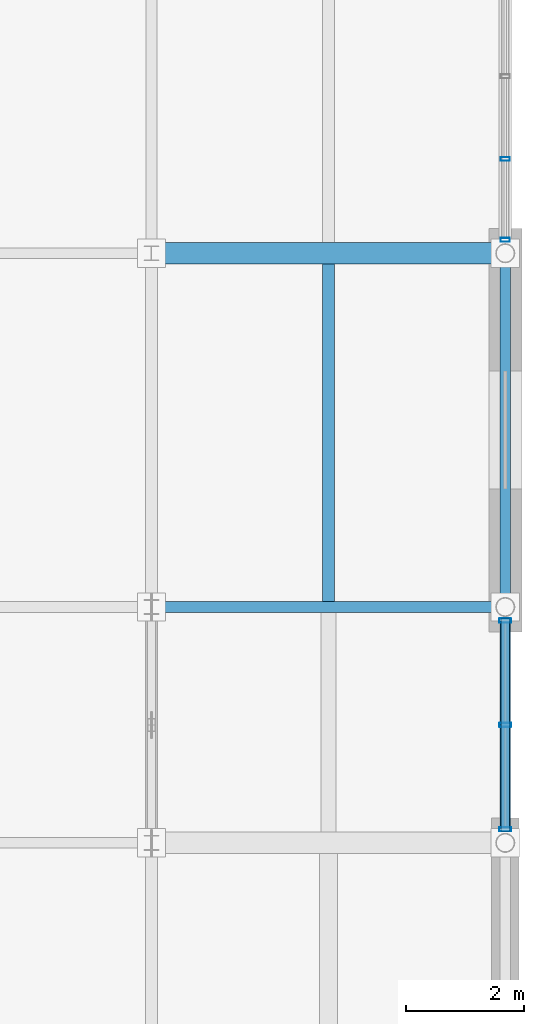
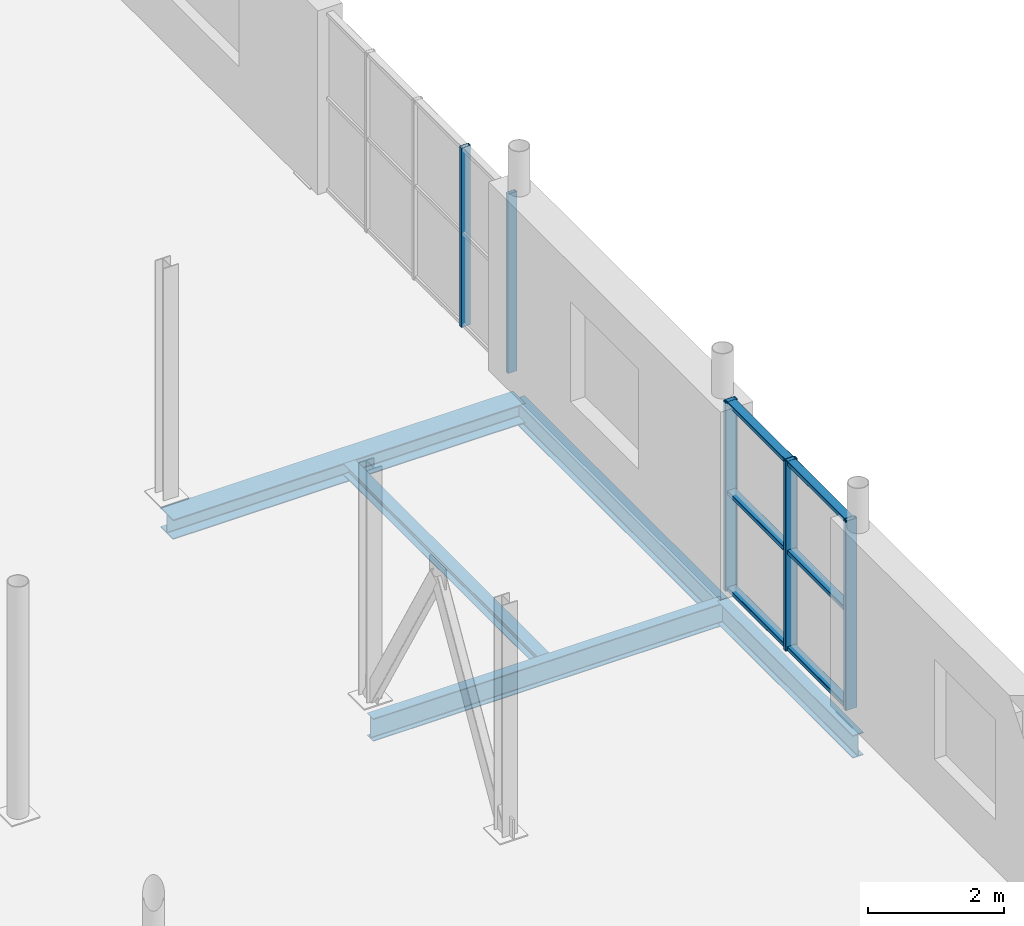
# One storey, part 13 of 30: 8 members, 5 beams, 2 elements without a shape of their own.
"""IFC4 building model written with IfcOpenShell, lengths in metres."""

import ifcopenshell
import ifcopenshell.guid

model = None  # the IFC model being written
_history = None  # IfcOwnerHistory: only IFC2X3 demands one
_inside = {}  # id of a spatial element -> (the spatial element, [elements in it])
_under = {}  # id of a project, library or spatial element -> (it, [spatial elements below it])
_declared = {}  # id of a project -> (the project, [libraries it declares])
_typed = {}  # id of a type object -> (the type object, [elements of that type])
_made_of = {}  # id of a material, layer set ... -> (it, [elements and type objects made of it])


def new_model(schema):
    """Start an empty IFC model of exactly this schema.

    Asked for "IFC4X3", IfcOpenShell would pick the latest addendum, in which some entities
    have other attributes; the version numbers below select the first issue.
    IFC2X3 requires an IfcOwnerHistory on every rooted entity: one is made here for all.
    """
    global model, _history
    if schema == "IFC4X3":
        model = ifcopenshell.file(schema_version=(4, 3, 0, 0))
    else:
        model = ifcopenshell.file(schema=schema)
    _inside.clear()
    _under.clear()
    _declared.clear()
    _typed.clear()
    _made_of.clear()
    _history = None
    if model.schema == "IFC2X3":
        org = make("IfcOrganization", Name="unknown")
        user = make(
            "IfcPersonAndOrganization",
            ThePerson=make("IfcPerson", FamilyName="unknown"),
            TheOrganization=org,
        )
        app = make(
            "IfcApplication",
            ApplicationDeveloper=org,
            Version="unknown",
            ApplicationFullName="unknown",
            ApplicationIdentifier="unknown",
        )
        _history = make(
            "IfcOwnerHistory",
            OwningUser=user,
            OwningApplication=app,
            ChangeAction="ADDED",
            CreationDate=0,
        )
    return model


def make(cls, **values):
    """One entity of the class cls with the attributes given. An attribute that is None is left unset."""
    return model.create_entity(
        cls, **{name: value for name, value in values.items() if value is not None}
    )


def rooted(cls, **values):
    """An entity with a GlobalId (a new one), such as an element, a storey or a relation."""
    return make(cls, GlobalId=ifcopenshell.guid.new(), OwnerHistory=_history, **values)


def si_unit(unit_type, name, prefix=None):
    """IfcSIUnit, for example si_unit("LENGTHUNIT", "METRE", prefix="MILLI")."""
    return make("IfcSIUnit", UnitType=unit_type, Prefix=prefix, Name=name)


def assignment(units):
    """IfcUnitAssignment: the units of a project."""
    return None if units is None else make("IfcUnitAssignment", Units=units)


def point(xyz):
    """IfcCartesianPoint."""
    return None if xyz is None else make("IfcCartesianPoint", Coordinates=xyz)


def direction(xyz):
    """IfcDirection."""
    return None if xyz is None else make("IfcDirection", DirectionRatios=xyz)


def frame(location, z_axis=None, x_axis=None):
    """IfcAxis2Placement3D, a coordinate frame: its origin and axes. An axis left out is left unset."""
    return make(
        "IfcAxis2Placement3D",
        Location=point(location),
        Axis=direction(z_axis),
        RefDirection=direction(x_axis),
    )


def frame_2d(location, x_axis=None):
    """IfcAxis2Placement2D, a coordinate frame in the plane: its origin and x axis."""
    return make(
        "IfcAxis2Placement2D", Location=point(location), RefDirection=direction(x_axis)
    )


def origin():
    """The frame at (0, 0, 0) with its axes left unset."""
    return frame((0.0, 0.0, 0.0))


def origin_2d():
    """The frame at (0, 0) in the plane with its x axis left unset."""
    return frame_2d((0.0, 0.0))


def place(relative_to, where):
    """IfcLocalPlacement: puts the frame where relative to a parent placement (None: the world)."""
    return make(
        "IfcLocalPlacement", PlacementRelTo=relative_to, RelativePlacement=where
    )


def context(
    kind, dimensions, precision=None, world=None, true_north=None, identifier=None
):
    """IfcGeometricRepresentationContext, for example the 3D "Model" context."""
    return make(
        "IfcGeometricRepresentationContext",
        ContextIdentifier=identifier,
        ContextType=kind,
        CoordinateSpaceDimension=dimensions,
        Precision=precision,
        WorldCoordinateSystem=world,
        TrueNorth=true_north,
    )


def subcontext(parent, identifier, kind, view, scale=None):
    """IfcGeometricRepresentationSubContext, for example "Body" below "Model"."""
    return make(
        "IfcGeometricRepresentationSubContext",
        ContextIdentifier=identifier,
        ContextType=kind,
        ParentContext=parent,
        TargetScale=scale,
        TargetView=view,
    )


def project(units=None, contexts=None):
    """IfcProject with its units and contexts."""
    return rooted(
        "IfcProject",
        Name="project",
        RepresentationContexts=contexts,
        UnitsInContext=assignment(units),
    )


def spatial(cls, under=None, at=None, **own):
    """A site, building, storey or space (cls), placed at a placement, below another one or the project."""
    s = rooted(cls, ObjectPlacement=at, **own)
    if under is not None:
        _under.setdefault(under.id(), (under, []))[1].append(s)
    return s


def profile(cls, at=None, kind="AREA", **sizes):
    """A parametric profile (cls). Its sizes go by their IFC names, for example OverallWidth=200.0."""
    return make(cls, ProfileType=kind, Position=at, **sizes)


def hollow_rectangle(**sizes):
    """IfcRectangleHollowProfileDef."""
    return profile("IfcRectangleHollowProfileDef", **sizes)


def i_section(**sizes):
    """IfcIShapeProfileDef."""
    return profile("IfcIShapeProfileDef", **sizes)


def extrude(swept, where, along, depth):
    """IfcExtrudedAreaSolid: the profile swept, set in the frame where, extruded along a direction by depth."""
    return make(
        "IfcExtrudedAreaSolid",
        SweptArea=swept,
        Position=where,
        ExtrudedDirection=direction(along),
        Depth=depth,
    )


def shape(context_of_items, identifier, shape_type, items):
    """IfcShapeRepresentation: the items that make up one representation, for example the "Body"."""
    return make(
        "IfcShapeRepresentation",
        ContextOfItems=context_of_items,
        RepresentationIdentifier=identifier,
        RepresentationType=shape_type,
        Items=items,
    )


def material(Name=None, Category=None):
    """IfcMaterial."""
    return make("IfcMaterial", Name=Name, Category=Category)


def material_profile(
    of_material, cross_section, Name=None, Category=None, Priority=None
):
    """IfcMaterialProfile: a cross section and its material."""
    return make(
        "IfcMaterialProfile",
        Name=Name,
        Material=of_material,
        Profile=cross_section,
        Priority=Priority,
        Category=Category,
    )


def profile_set(profiles, Name=None, composite=None):
    """IfcMaterialProfileSet."""
    return make(
        "IfcMaterialProfileSet",
        Name=Name,
        MaterialProfiles=profiles,
        CompositeProfile=composite,
    )


def made_of(thing, what):
    """Note that an element or type object is made of a material, layer set ...; save() writes the relation."""
    if what is not None:
        _made_of.setdefault(what.id(), (what, []))[1].append(thing)
    return thing


def type_object(cls, material=None, **own):
    """A type object (cls), such as IfcWallType, which elements share."""
    return made_of(rooted(cls, **own), material)


def element(
    cls,
    number,
    at=None,
    inside=None,
    cuts=None,
    type_object=None,
    material=None,
    context=None,
    identifier="Body",
    shape_type=None,
    held_by="IfcProductDefinitionShape",
    body=None,
    shapes=None,
    **own,
):
    """One element of the class cls, such as IfcWall. Its Tag is "e" and its number.

    at: its placement. inside: the storey or other place that contains it. cuts: it is an
    opening in that element (IfcRelVoidsElement). A single representation is given by context,
    identifier, shape_type and body (its items); several are given by shapes. held_by: the class
    of the entity that holds the representations. save() writes the other relations.
    """
    e = rooted(cls, Tag="e%d" % number, ObjectPlacement=at, **own)
    if body is not None:
        shapes = [shape(context, identifier, shape_type, body)]
    if shapes is not None:
        e.Representation = make(held_by, Representations=shapes)
    if inside is not None:
        _inside.setdefault(inside.id(), (inside, []))[1].append(e)
    if cuts is not None:
        rooted(
            "IfcRelVoidsElement", RelatingBuildingElement=cuts, RelatedOpeningElement=e
        )
    if type_object is not None:
        _typed.setdefault(type_object.id(), (type_object, []))[1].append(e)
    return made_of(e, material)


def aggregate(whole, parts):
    """IfcRelAggregates: a whole, such as a stair, and the parts it consists of."""
    return rooted("IfcRelAggregates", RelatingObject=whole, RelatedObjects=parts)


def save(model, path):
    """Write the relations noted so far, then the file.

    IfcRelAggregates (storeys below a building ...), IfcRelContainedInSpatialStructure (elements
    in a storey), IfcRelDefinesByType, IfcRelAssociatesMaterial and IfcRelDeclares: one each for
    every whole, place, type object, material and project.
    """
    for whole, parts in _under.values():
        aggregate(whole, parts)
    for where, things in _inside.values():
        rooted(
            "IfcRelContainedInSpatialStructure",
            RelatedElements=things,
            RelatingStructure=where,
        )
    for kind, things in _typed.values():
        rooted("IfcRelDefinesByType", RelatedObjects=things, RelatingType=kind)
    for what, things in _made_of.values():
        rooted("IfcRelAssociatesMaterial", RelatedObjects=things, RelatingMaterial=what)
    for by, libraries in _declared.values():
        rooted("IfcRelDeclares", RelatingContext=by, RelatedDefinitions=libraries)
    model.write(path)


model = new_model("IFC4")

# Units and contexts
model_context = context("Model", 3, precision=1e-05, world=origin(), true_north=direction((0.0, 1.0)))
body_context = subcontext(model_context, "Body", "Model", "MODEL_VIEW")
ifc_project = project(units=[si_unit("LENGTHUNIT", "METRE"), si_unit("AREAUNIT", "SQUARE_METRE"), si_unit("VOLUMEUNIT", "CUBIC_METRE"), si_unit("PLANEANGLEUNIT", "RADIAN"), si_unit("MASSUNIT", "GRAM", prefix="KILO")], contexts=[model_context])

# Site, building, storey
site_placement = place(None, origin())
site = spatial("IfcSite", under=ifc_project, at=site_placement, CompositionType="ELEMENT")
building_placement = place(site_placement, origin())
building = spatial("IfcBuilding", under=site, at=building_placement, Name="Verrall Gate Interchange", CompositionType="ELEMENT")
storey_placement = place(building_placement, frame((0.0, 0.0, 19.39990234375)))
storey = spatial("IfcBuildingStorey", under=building, at=storey_placement, Name="L05", CompositionType="ELEMENT", Elevation=19.39990234375)

# Beams
ifc_material_1 = material(Name="Structural Steel CSA G40.21 350W", Category="steel")
ifc_material_profile_1 = material_profile(ifc_material_1, i_section(OverallWidth=0.178955078125, OverallDepth=0.409912109375, WebThickness=0.0087890625, FlangeThickness=0.014404296875, FilletRadius=0.011962890625, at=origin_2d()), Name="W410x67")
ifc_profile_set_1 = profile_set([ifc_material_profile_1], Name="Structural Steel CSA G40.21 350W")
beam_type_1 = type_object("IfcBeamType", Name="B-12 Structural Beam W410x67", PredefinedType="BEAM", material=ifc_profile_set_1)
beam_1_placement = place(storey_placement, frame((30.0, 16.0, -0.534912109375), z_axis=(1.0, 0.0, 0.0), x_axis=(0.0, 1.0, 0.0)))
element("IfcBeam", 1, at=beam_1_placement, inside=storey, type_object=beam_type_1, Name="L05 Girder BM-L05-2868 (B-12)", PredefinedType="BEAM", context=body_context, shape_type="SweptSolid", body=[
    extrude(i_section(OverallWidth=0.178955078125, OverallDepth=0.409912109375, WebThickness=0.0087890625, FlangeThickness=0.014404296875, FilletRadius=0.011962890625, at=origin_2d()), origin(), (0.0, 0.0, 1.0), 6.0),
])
beam_2_placement = place(storey_placement, frame((36.0, 12.0, -0.534912109375), z_axis=(0.0, 1.0, 0.0), x_axis=(-1.0, 0.0, 0.0)))
element("IfcBeam", 2, at=beam_2_placement, inside=storey, type_object=beam_type_1, Name="L05 Girder BM-L05-2994 (B-12)", PredefinedType="BEAM", context=body_context, shape_type="SweptSolid", body=[
    extrude(i_section(OverallWidth=0.178955078125, OverallDepth=0.409912109375, WebThickness=0.0087890625, FlangeThickness=0.014404296875, FilletRadius=0.011962890625, at=origin_2d()), origin(), (0.0, 0.0, 1.0), 4.0),
])
beam_3_placement = place(storey_placement, frame((36.0, 16.0, -0.534912109375), z_axis=(0.0, 1.0, 0.0), x_axis=(-1.0, 0.0, 0.0)))
element("IfcBeam", 3, at=beam_3_placement, inside=storey, type_object=beam_type_1, Name="L05 Girder BM-L05-2995 (B-12)", PredefinedType="BEAM", context=body_context, shape_type="SweptSolid", body=[
    extrude(i_section(OverallWidth=0.178955078125, OverallDepth=0.409912109375, WebThickness=0.0087890625, FlangeThickness=0.014404296875, FilletRadius=0.011962890625, at=origin_2d()), origin(), (0.0, 0.0, 1.0), 6.0),
])
ifc_material_2 = material(Name="Structural Steel CSA G40.21 350W", Category="steel")
ifc_material_profile_2 = material_profile(ifc_material_2, i_section(OverallWidth=0.368896484375, OverallDepth=0.35595703125, WebThickness=0.01123046875, FlangeThickness=0.01806640625, FilletRadius=0.014892578125, at=origin_2d()), Name="W360x134")
ifc_profile_set_2 = profile_set([ifc_material_profile_2], Name="Structural Steel CSA G40.21 350W")
beam_type_2 = type_object("IfcBeamType", Name="B-13 Structural Beam W360x134", PredefinedType="BEAM", material=ifc_profile_set_2)
beam_4_placement = place(storey_placement, frame((30.0, 22.0, -0.5078125), z_axis=(1.0, 0.0, 0.0), x_axis=(0.0, 1.0, 0.0)))
element("IfcBeam", 4, at=beam_4_placement, inside=storey, type_object=beam_type_2, Name="L05 Girder BM-L05-2874 (B-13)", PredefinedType="BEAM", context=body_context, shape_type="SweptSolid", body=[
    extrude(i_section(OverallWidth=0.368896484375, OverallDepth=0.35595703125, WebThickness=0.01123046875, FlangeThickness=0.01806640625, FilletRadius=0.014892578125, at=origin_2d()), origin(), (0.0, 0.0, 1.0), 6.0),
])

# Curtain wall, members
ifc_material_3 = material(Name="Thermally Broken Anodized Aluminium Curtain Wall Framing", Category="aluminium")
curtain_wall_type_1 = type_object("IfcCurtainWallType", Name="CW-42 Unitized Curtain Wall 5612x3230", PredefinedType="NOTDEFINED", material=ifc_material_3)
curtain_wall_1_placement = place(storey_placement, origin())
curtain_wall_1 = element("IfcCurtainWall", 5, at=curtain_wall_1_placement, inside=storey, type_object=curtain_wall_type_1, Name="L05 Unitized Curtain Wall CW-L05-134", PredefinedType="NOTDEFINED")
ifc_material_4 = material(Name="Thermally Broken Anodized Aluminium Curtain Wall Framing", Category="aluminium")
ifc_material_profile_3 = material_profile(ifc_material_4, hollow_rectangle(XDim=0.06494140625, YDim=0.159912109375, WallThickness=0.00390625, InnerFilletRadius=0.00390625, OuterFilletRadius=0.008056640625, at=origin_2d()), Name="CWM160x65x4")
ifc_profile_set_3 = profile_set([ifc_material_profile_3], Name="Thermally Broken Anodized Aluminium Curtain Wall Framing")
member_type_1 = type_object("IfcMemberType", Name="CM-01 Curtain Mullion CWM160x65x4", PredefinedType="MULLION", material=ifc_profile_set_3)
member_1_placement = place(storey_placement, frame((36.0, 22.2265625, 0.0), z_axis=(0.0, 0.0, 1.0), x_axis=(0.0, 1.0, 0.0)))
member_1 = element("IfcMember", 6, at=member_1_placement, type_object=member_type_1, Name="CW-L05-134 Mullion 1", PredefinedType="MULLION", context=body_context, shape_type="SweptSolid", body=[
    extrude(hollow_rectangle(XDim=0.06494140625, YDim=0.159912109375, WallThickness=0.00390625, InnerFilletRadius=0.00390625, OuterFilletRadius=0.008056640625, at=origin_2d()), origin(), (0.0, 0.0, 1.0), 3.22998046875),
])
member_2_placement = place(storey_placement, frame((36.0, 23.596923828125, 0.0), z_axis=(0.0, 0.0, 1.0), x_axis=(0.0, 1.0, 0.0)))
member_2 = element("IfcMember", 7, at=member_2_placement, type_object=member_type_1, Name="CW-L05-134 Mullion 2", PredefinedType="MULLION", context=body_context, shape_type="SweptSolid", body=[
    extrude(hollow_rectangle(XDim=0.06494140625, YDim=0.159912109375, WallThickness=0.00390625, InnerFilletRadius=0.00390625, OuterFilletRadius=0.008056640625, at=origin_2d()), origin(), (0.0, 0.0, 1.0), 3.22998046875),
])
aggregate(curtain_wall_1, [member_1, member_2])

ifc_material_5 = material(Name="Thermally Broken Anodized Aluminium Curtain Wall Framing", Category="aluminium")
curtain_wall_type_2 = type_object("IfcCurtainWallType", Name="CW-41 Unitized Curtain Wall 3612x3410", PredefinedType="NOTDEFINED", material=ifc_material_5)
curtain_wall_2_placement = place(storey_placement, origin())
curtain_wall_2 = element("IfcCurtainWall", 8, at=curtain_wall_2_placement, inside=storey, type_object=curtain_wall_type_2, Name="L05 Unitized Curtain Wall CW-L05-133", PredefinedType="NOTDEFINED")
ifc_material_6 = material(Name="Thermally Broken Anodized Aluminium Curtain Wall Framing", Category="aluminium")
ifc_material_profile_4 = material_profile(ifc_material_6, hollow_rectangle(XDim=0.074951171875, YDim=0.199951171875, WallThickness=0.0048828125, InnerFilletRadius=0.0048828125, OuterFilletRadius=0.010009765625, at=origin_2d()), Name="CWM200x75x5")
ifc_profile_set_4 = profile_set([ifc_material_profile_4], Name="Thermally Broken Anodized Aluminium Curtain Wall Framing")
member_type_2 = type_object("IfcMemberType", Name="CM-02 Curtain Mullion CWM200x75x5", PredefinedType="MULLION", material=ifc_profile_set_4)
member_3_placement = place(storey_placement, frame((36.0, 12.2314453125, 0.0), z_axis=(0.0, 0.0, 1.0), x_axis=(0.0, 1.0, 0.0)))
member_3 = element("IfcMember", 9, at=member_3_placement, type_object=member_type_2, Name="CW-L05-133 Mullion 1", PredefinedType="MULLION", context=body_context, shape_type="SweptSolid", body=[
    extrude(hollow_rectangle(XDim=0.074951171875, YDim=0.199951171875, WallThickness=0.0048828125, InnerFilletRadius=0.0048828125, OuterFilletRadius=0.010009765625, at=origin_2d()), origin(), (0.0, 0.0, 1.0), 3.41015625),
])
member_4_placement = place(storey_placement, frame((36.0, 14.0, 0.0), z_axis=(0.0, 0.0, 1.0), x_axis=(0.0, 1.0, 0.0)))
member_4 = element("IfcMember", 10, at=member_4_placement, type_object=member_type_2, Name="CW-L05-133 Mullion 2", PredefinedType="MULLION", context=body_context, shape_type="SweptSolid", body=[
    extrude(hollow_rectangle(XDim=0.074951171875, YDim=0.199951171875, WallThickness=0.0048828125, InnerFilletRadius=0.0048828125, OuterFilletRadius=0.010009765625, at=origin_2d()), origin(), (0.0, 0.0, 1.0), 3.41015625),
])
member_5_placement = place(storey_placement, frame((36.0, 15.7685546875, 0.0), z_axis=(0.0, 0.0, 1.0), x_axis=(0.0, 1.0, 0.0)))
member_5 = element("IfcMember", 11, at=member_5_placement, type_object=member_type_2, Name="CW-L05-133 Mullion 3", PredefinedType="MULLION", context=body_context, shape_type="SweptSolid", body=[
    extrude(hollow_rectangle(XDim=0.074951171875, YDim=0.199951171875, WallThickness=0.0048828125, InnerFilletRadius=0.0048828125, OuterFilletRadius=0.010009765625, at=origin_2d()), origin(), (0.0, 0.0, 1.0), 3.41015625),
])
ifc_material_7 = material(Name="Thermally Broken Anodized Aluminium Curtain Wall Framing", Category="aluminium")
ifc_material_profile_5 = material_profile(ifc_material_7, hollow_rectangle(XDim=0.14990234375, YDim=0.074951171875, WallThickness=0.00439453125, InnerFilletRadius=0.00439453125, OuterFilletRadius=0.009033203125, at=origin_2d()), Name="CWT150x75x4.5")
ifc_profile_set_5 = profile_set([ifc_material_profile_5], Name="Thermally Broken Anodized Aluminium Curtain Wall Framing")
member_type_3 = type_object("IfcMemberType", Name="CT-02 Curtain Transom CWT150x75x4.5", PredefinedType="USERDEFINED", material=ifc_profile_set_5)
member_6_placement = place(storey_placement, frame((36.0, 12.19384765625, 0.03759765625), z_axis=(0.0, 1.0, 0.0), x_axis=(-1.0, 0.0, 0.0)))
member_6 = element("IfcMember", 12, at=member_6_placement, type_object=member_type_3, Name="CW-L05-133 Transom 1", ObjectType="TRANSOM", PredefinedType="USERDEFINED", context=body_context, shape_type="SweptSolid", body=[
    extrude(hollow_rectangle(XDim=0.14990234375, YDim=0.074951171875, WallThickness=0.00439453125, InnerFilletRadius=0.00439453125, OuterFilletRadius=0.009033203125, at=origin_2d()), origin(), (0.0, 0.0, 1.0), 3.6123046875),
])
member_7_placement = place(storey_placement, frame((36.0, 12.19384765625, 1.773193359375), z_axis=(0.0, 1.0, 0.0), x_axis=(-1.0, 0.0, 0.0)))
member_7 = element("IfcMember", 13, at=member_7_placement, type_object=member_type_3, Name="CW-L05-133 Transom 2", ObjectType="TRANSOM", PredefinedType="USERDEFINED", context=body_context, shape_type="SweptSolid", body=[
    extrude(hollow_rectangle(XDim=0.14990234375, YDim=0.074951171875, WallThickness=0.00439453125, InnerFilletRadius=0.00439453125, OuterFilletRadius=0.009033203125, at=origin_2d()), origin(), (0.0, 0.0, 1.0), 3.6123046875),
])
member_8_placement = place(storey_placement, frame((36.0, 12.19384765625, 3.37255859375), z_axis=(0.0, 1.0, 0.0), x_axis=(-1.0, 0.0, 0.0)))
member_8 = element("IfcMember", 14, at=member_8_placement, type_object=member_type_3, Name="CW-L05-133 Transom 3", ObjectType="TRANSOM", PredefinedType="USERDEFINED", context=body_context, shape_type="SweptSolid", body=[
    extrude(hollow_rectangle(XDim=0.14990234375, YDim=0.074951171875, WallThickness=0.00439453125, InnerFilletRadius=0.00439453125, OuterFilletRadius=0.009033203125, at=origin_2d()), origin(), (0.0, 0.0, 1.0), 3.6123046875),
])
aggregate(curtain_wall_2, [member_3, member_4, member_5, member_6, member_7, member_8])

# Beam
ifc_material_8 = material(Name="Structural Steel CSA G40.21 350W", Category="steel")
ifc_material_profile_6 = material_profile(ifc_material_8, i_section(OverallWidth=0.202880859375, OverallDepth=0.202880859375, WebThickness=0.007080078125, FlangeThickness=0.010986328125, FilletRadius=0.010009765625, at=origin_2d()), Name="W200x46")
ifc_profile_set_6 = profile_set([ifc_material_profile_6], Name="Structural Steel CSA G40.21 350W")
beam_type_3 = type_object("IfcBeamType", Name="J-07 Floor Joist W200x46", PredefinedType="JOIST", material=ifc_profile_set_6)
beam_5_placement = place(storey_placement, frame((33.0, 16.089599609375, -0.431396484375), z_axis=(0.0, 1.0, 0.0), x_axis=(-1.0, 0.0, 0.0)))
element("IfcBeam", 15, at=beam_5_placement, inside=storey, type_object=beam_type_3, Name="L05 Secondary Floor Joist JST-L05-3020", PredefinedType="JOIST", context=body_context, shape_type="SweptSolid", body=[
    extrude(i_section(OverallWidth=0.202880859375, OverallDepth=0.202880859375, WebThickness=0.007080078125, FlangeThickness=0.010986328125, FilletRadius=0.010009765625, at=origin_2d()), origin(), (0.0, 0.0, 1.0), 5.725830078125),
])

save(model, "model.ifc")
